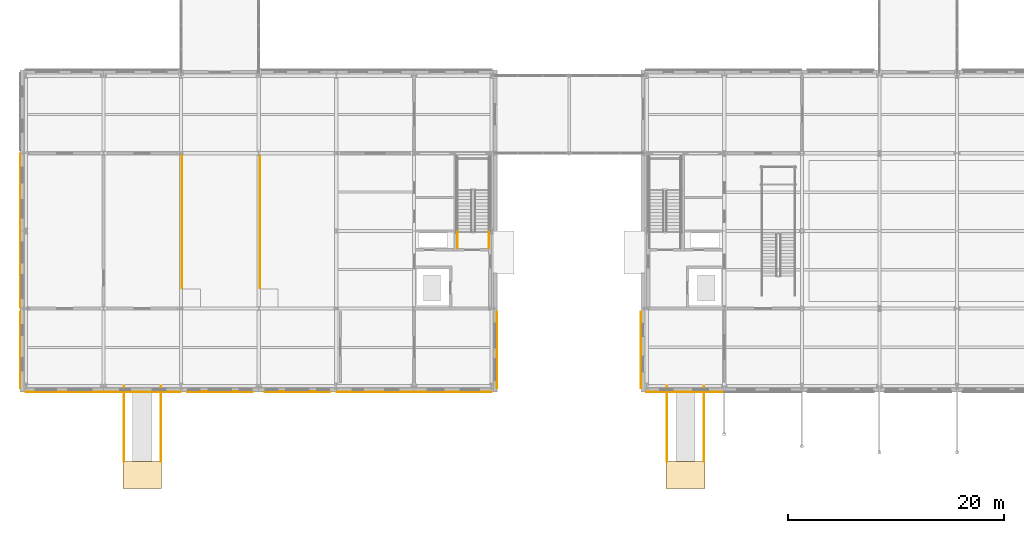
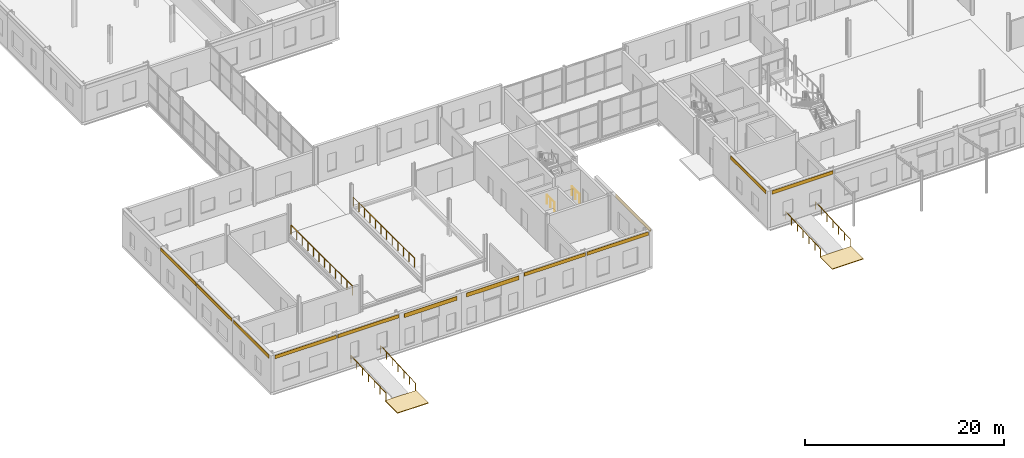
# One storey, part 74 of 92: 14 coverings, 8 railings.
"""IFC4 building model written with IfcOpenShell, lengths in metres."""

from ifc_helpers import new_model, si_unit, direction, frame, origin, origin_2d, place, context, subcontext, project, spatial, polyline, rectangle, circle, outline, extrude, material, layer, layer_set, type_object, element, save


model = new_model("IFC4")

# Units and contexts
model_context = context("Model", 3, precision=1e-05, world=origin(), true_north=direction((0.0, 1.0)))
body_context = subcontext(model_context, "Body", "Model", "MODEL_VIEW")
ifc_project = project(units=[si_unit("LENGTHUNIT", "METRE"), si_unit("AREAUNIT", "SQUARE_METRE"), si_unit("VOLUMEUNIT", "CUBIC_METRE"), si_unit("PLANEANGLEUNIT", "RADIAN"), si_unit("MASSUNIT", "GRAM", prefix="KILO")], contexts=[model_context])

# Site, building, storey
site_placement = place(None, origin())
site = spatial("IfcSite", under=ifc_project, at=site_placement, CompositionType="ELEMENT")
building_placement = place(site_placement, origin())
building = spatial("IfcBuilding", under=site, at=building_placement, Name="Zlatovets Crest Museum", CompositionType="ELEMENT")
storey_placement = place(building_placement, origin())
storey = spatial("IfcBuildingStorey", under=building, at=storey_placement, Name="L00", CompositionType="ELEMENT", Elevation=0.0)

# Coverings
ifc_material_1 = material(Name="Polychrome turquoise-gold glazed majolica ceramic frieze")
ifc_layer_1 = layer(ifc_material_1, 0.0400390625)
ifc_layer_set_1 = layer_set([ifc_layer_1], Name="Polychrome turquoise-gold glazed majolica ceramic frieze")
covering_type_1 = type_object("IfcCoveringType", Name="MajolicaFrieze_CL01", PredefinedType="CLADDING", material=ifc_layer_set_1)
for number, where, z_axis, x_axis, name in (
    (1, (61.117431640625, -0.530029296875, 4.010009765625), (0.0, 0.0, 1.0), (1.0, 0.0, 0.0), "Sofia Secession Majolica Plinth Frieze"),
    (2, (57.070068359375, 3.342529296875, 4.010009765625), (0.0, 0.0, 1.0), (0.0, 1.0, 0.0), "Sofia Secession Majolica Plinth Frieze"),
    (3, (3.517578125, -0.530029296875, 4.010009765625), (0.0, 0.0, 1.0), (1.0, 0.0, 0.0), "Sofia Secession Majolica Plinth Frieze"),
    (4, (10.800048828125, -0.530029296875, 4.010009765625), (0.0, 0.0, 1.0), (1.0, 0.0, 0.0), "Sofia Secession Majolica Plinth Frieze"),
):
    element("IfcCovering", number, at=place(storey_placement, frame(where, z_axis=z_axis, x_axis=x_axis)), inside=storey, type_object=covering_type_1, Name=name, PredefinedType="CLADDING", context=body_context, shape_type="SweptSolid", body=[
        extrude(rectangle(XDim=7.10009765625, YDim=0.0400390625, at=origin_2d()), origin(), (0.0, 0.0, 1.0), 0.419921875),
    ])
for number, where, z_axis, x_axis, name in (
    (5, (18.0, -0.52001953125, 3.81005859375), (0.0, 0.0, 1.0), (1.0, 0.0, 0.0), "Art Nouveau Portal Secession Archivolt Crown"),
    (6, (25.199951171875, -0.52001953125, 3.81005859375), (0.0, 0.0, 1.0), (1.0, 0.0, 0.0), "Art Nouveau Portal Secession Archivolt Crown"),
):
    element("IfcCovering", number, at=place(storey_placement, frame(where, z_axis=z_axis, x_axis=x_axis)), inside=storey, type_object=covering_type_1, Name=name, PredefinedType="CLADDING", context=body_context, shape_type="SweptSolid", body=[
        extrude(rectangle(XDim=6.10009765625, YDim=0.06005859375, at=origin_2d()), origin(), (0.0, 0.0, 1.0), 0.47998046875),
    ])
for number, where, z_axis, x_axis, name in (
    (7, (32.39990234375, -0.530029296875, 4.010009765625), (0.0, 0.0, 1.0), (1.0, 0.0, 0.0), "Sofia Secession Majolica Plinth Frieze"),
    (8, (39.6826171875, -0.530029296875, 4.010009765625), (0.0, 0.0, 1.0), (1.0, 0.0, 0.0), "Sofia Secession Majolica Plinth Frieze"),
    (9, (43.72998046875, 3.342529296875, 4.010009765625), (0.0, 0.0, 1.0), (0.0, 1.0, 0.0), "Sofia Secession Majolica Plinth Frieze"),
    (10, (-0.530029296875, 18.0, 4.010009765625), (0.0, 0.0, 1.0), (0.0, 1.0, 0.0), "Sofia Secession Majolica Plinth Frieze"),
    (11, (-0.530029296875, 10.800048828125, 4.010009765625), (0.0, 0.0, 1.0), (0.0, 1.0, 0.0), "Sofia Secession Majolica Plinth Frieze"),
    (12, (-0.530029296875, 3.342529296875, 4.010009765625), (0.0, 0.0, 1.0), (0.0, 1.0, 0.0), "Sofia Secession Majolica Plinth Frieze"),
):
    element("IfcCovering", number, at=place(storey_placement, frame(where, z_axis=z_axis, x_axis=x_axis)), inside=storey, type_object=covering_type_1, Name=name, PredefinedType="CLADDING", context=body_context, shape_type="SweptSolid", body=[
        extrude(rectangle(XDim=7.10009765625, YDim=0.0400390625, at=origin_2d()), origin(), (0.0, 0.0, 1.0), 0.419921875),
    ])

# Railings
ifc_material_2 = material(Name="Brushed bronze tubular handrail")
railing_type_1 = type_object("IfcRailingType", Name="RampRail_HR02", PredefinedType="HANDRAIL", material=ifc_material_2)
for number, where, name in (
    (13, (59.47998046875, -7.0, -0.35009765625), "Main Boulevard Step-Free Ramp Handrail 1"),
    (14, (62.919921875, -7.0, -0.35009765625), "Main Boulevard Step-Free Ramp Handrail 2"),
    (15, (9.080078125, -7.0, -0.35009765625), "Auditorium Forecourt Step-Free Ramp Handrail 1"),
    (16, (12.52001953125, -7.0, -0.35009765625), "Auditorium Forecourt Step-Free Ramp Handrail 2"),
):
    element("IfcRailing", number, at=place(storey_placement, frame(where)), inside=storey, type_object=railing_type_1, Name=name, PredefinedType="HANDRAIL", context=body_context, shape_type="SweptSolid", body=[
        extrude(circle(Radius=0.02392578125, at=origin_2d()), frame((0.0, 0.0, 0.89599609375), z_axis=(0.0, 0.998751643845, 0.049951515669), x_axis=(-1.0, 0.0, 0.0)), (0.0, 0.0, 1.0), 7.0087890625),
        extrude(circle(Radius=0.02099609375, at=origin_2d()), origin(), (0.0, 0.0, 1.0), 0.871826171875),
        extrude(circle(Radius=0.02099609375, at=origin_2d()), frame((0.0, 1.166748046875, 0.058349609375)), (0.0, 0.0, 1.0), 0.871826171875),
        extrude(circle(Radius=0.02099609375, at=origin_2d()), frame((0.0, 2.333251953125, 0.11669921875)), (0.0, 0.0, 1.0), 0.871826171875),
        extrude(circle(Radius=0.02099609375, at=origin_2d()), frame((0.0, 3.5, 0.175048828125)), (0.0, 0.0, 1.0), 0.871826171875),
        extrude(circle(Radius=0.02099609375, at=origin_2d()), frame((0.0, 4.666748046875, 0.2333984375)), (0.0, 0.0, 1.0), 0.871826171875),
        extrude(circle(Radius=0.02099609375, at=origin_2d()), frame((0.0, 5.833251953125, 0.291748046875)), (0.0, 0.0, 1.0), 0.871826171875),
        extrude(circle(Radius=0.02099609375, at=origin_2d()), frame((0.0, 7.0, 0.35009765625)), (0.0, 0.0, 1.0), 0.871826171875),
    ])

# Coverings
ifc_material_3 = material(Name="Bush-hammered Vratsa stone court paving", Category="masonry")
ifc_layer_2 = layer(ifc_material_3, 0.080078125)
ifc_layer_set_2 = layer_set([ifc_layer_2], Name="Bush-hammered Vratsa stone court paving")
covering_type_2 = type_object("IfcCoveringType", Name="SitePaving_PV01", PredefinedType="USERDEFINED", material=ifc_layer_set_2)
covering_1_placement = place(storey_placement, frame((0.0, 0.0, -0.429931640625)))
element("IfcCovering", 17, at=covering_1_placement, inside=storey, type_object=covering_type_2, Name="Main Boulevard Step-Free Ramp Approach Paving", ObjectType="PAVING", PredefinedType="USERDEFINED", context=body_context, shape_type="SweptSolid", body=[
    extrude(outline(polyline([(63.0, -9.5), (63.0, -7.0), (59.39990234375, -7.0), (59.39990234375, -9.5), (63.0, -9.5)])), origin(), (0.0, 0.0, 1.0), 0.079833984375),
])
covering_2_placement = place(storey_placement, frame((0.0, 0.0, -0.429931640625)))
element("IfcCovering", 18, at=covering_2_placement, inside=storey, type_object=covering_type_2, Name="Auditorium Forecourt Step-Free Ramp Approach Paving", ObjectType="PAVING", PredefinedType="USERDEFINED", context=body_context, shape_type="SweptSolid", body=[
    extrude(outline(polyline([(12.60009765625, -9.5), (12.60009765625, -7.0), (9.0, -7.0), (9.0, -9.5), (12.60009765625, -9.5)])), origin(), (0.0, 0.0, 1.0), 0.079833984375),
])

# Railings
ifc_material_4 = material(Name="Painted steel safety guardrail", Category="steel")
railing_type_2 = type_object("IfcRailingType", Name="StairGuard_SG01", PredefinedType="GUARDRAIL", material=ifc_material_4)
for number, where, name in (
    (19, (42.949951171875, 12.800048828125, 0.0), "L00 ST3 stair guard 7"),
    (20, (40.050048828125, 12.800048828125, 0.0), "L00 ST3 stair guard 8"),
):
    element("IfcRailing", number, at=place(storey_placement, frame(where)), inside=storey, type_object=railing_type_2, Name=name, PredefinedType="GUARDRAIL", context=body_context, shape_type="SweptSolid", body=[
        extrude(circle(Radius=0.02392578125, at=origin_2d()), frame((0.0, 0.0, 1.076171875), z_axis=(0.0, 1.0, 0.0), x_axis=(-1.0, 0.0, 0.0)), (0.0, 0.0, 1.0), 1.5),
        extrude(circle(Radius=0.02099609375, at=origin_2d()), origin(), (0.0, 0.0, 1.0), 1.052001953125),
        extrude(circle(Radius=0.02099609375, at=origin_2d()), frame((0.0, 0.75, 0.0)), (0.0, 0.0, 1.0), 1.052001953125),
        extrude(circle(Radius=0.02099609375, at=origin_2d()), frame((0.0, 1.5, 0.0)), (0.0, 0.0, 1.0), 1.052001953125),
    ])
ifc_material_5 = material(Name="Brushed bronze auditorium tier guardrail")
railing_type_3 = type_object("IfcRailingType", Name="TierGuard_TG01", PredefinedType="GUARDRAIL", material=ifc_material_5)
for number, where, name in (
    (21, (14.5, 9.10009765625, 0.89990234375), "Auditorium Tier 1 Front Guard"),
    (22, (21.699951171875, 9.10009765625, 1.800048828125), "Auditorium Tier 2 Front Guard"),
):
    element("IfcRailing", number, at=place(storey_placement, frame(where)), inside=storey, type_object=railing_type_3, Name=name, PredefinedType="GUARDRAIL", context=body_context, shape_type="SweptSolid", body=[
        extrude(circle(Radius=0.02392578125, at=origin_2d()), frame((0.0, 0.0, 1.09619140625), z_axis=(0.0, 1.0, 0.0), x_axis=(-1.0, 0.0, 0.0)), (0.0, 0.0, 1.0), 12.2998046875),
        extrude(circle(Radius=0.02099609375, at=origin_2d()), origin(), (0.0, 0.0, 1.0), 1.072021484375),
        extrude(circle(Radius=0.02099609375, at=origin_2d()), frame((0.0, 1.1181640625, 0.0)), (0.0, 0.0, 1.0), 1.072021484375),
        extrude(circle(Radius=0.02099609375, at=origin_2d()), frame((0.0, 2.236328125, 0.0)), (0.0, 0.0, 1.0), 1.072021484375),
        extrude(circle(Radius=0.02099609375, at=origin_2d()), frame((0.0, 3.3544921875, 0.0)), (0.0, 0.0, 1.0), 1.072021484375),
        extrude(circle(Radius=0.02099609375, at=origin_2d()), frame((0.0, 4.47265625, 0.0)), (0.0, 0.0, 1.0), 1.072021484375),
        extrude(circle(Radius=0.02099609375, at=origin_2d()), frame((0.0, 5.5908203125, 0.0)), (0.0, 0.0, 1.0), 1.072021484375),
        extrude(circle(Radius=0.02099609375, at=origin_2d()), frame((0.0, 6.708984375, 0.0)), (0.0, 0.0, 1.0), 1.072021484375),
        extrude(circle(Radius=0.02099609375, at=origin_2d()), frame((0.0, 7.8271484375, 0.0)), (0.0, 0.0, 1.0), 1.072021484375),
        extrude(circle(Radius=0.02099609375, at=origin_2d()), frame((0.0, 8.9453125, 0.0)), (0.0, 0.0, 1.0), 1.072021484375),
        extrude(circle(Radius=0.02099609375, at=origin_2d()), frame((0.0, 10.0634765625, 0.0)), (0.0, 0.0, 1.0), 1.072021484375),
        extrude(circle(Radius=0.02099609375, at=origin_2d()), frame((0.0, 11.181640625, 0.0)), (0.0, 0.0, 1.0), 1.072021484375),
        extrude(circle(Radius=0.02099609375, at=origin_2d()), frame((0.0, 12.2998046875, 0.0)), (0.0, 0.0, 1.0), 1.072021484375),
    ])

save(model, "model.ifc")
